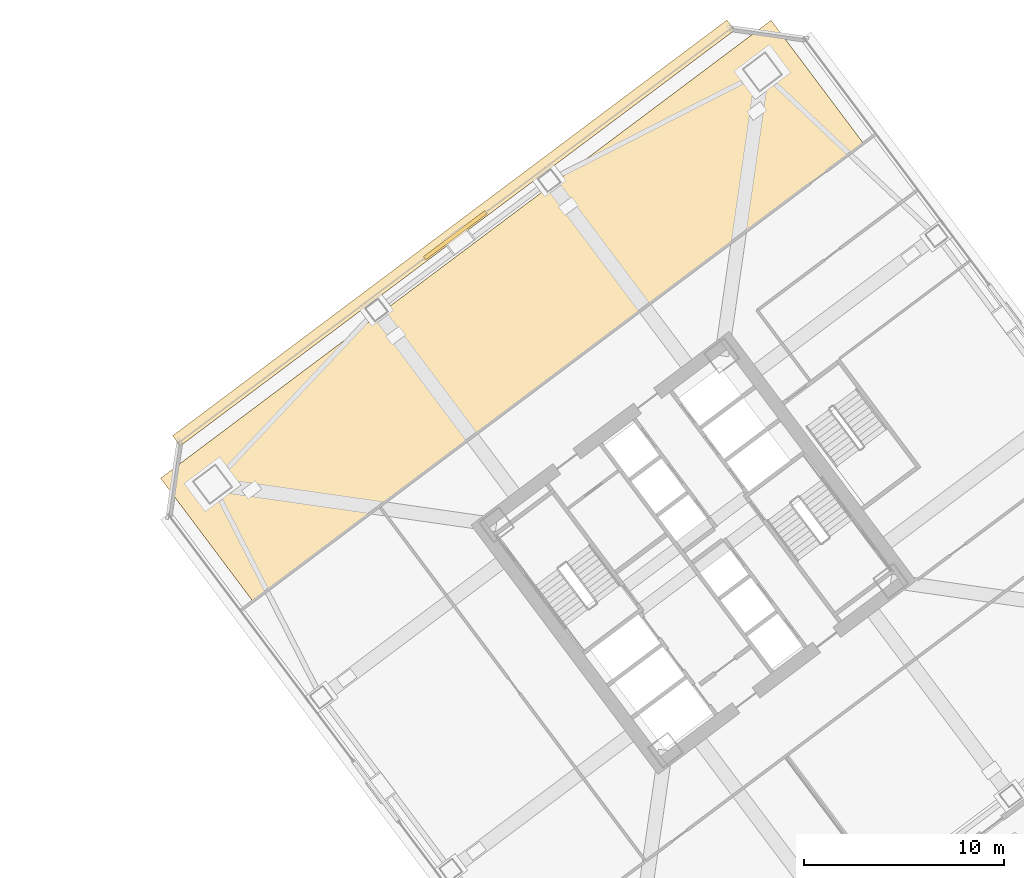
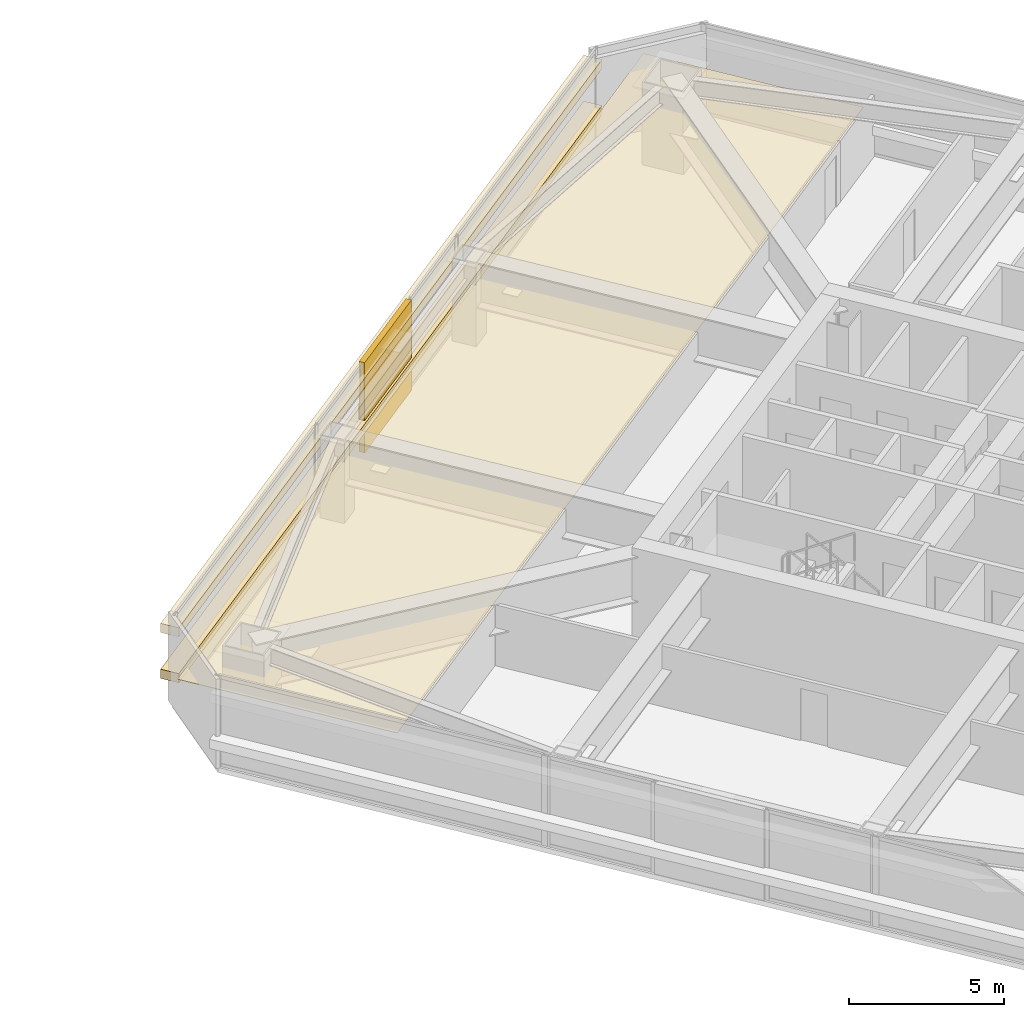
# One storey, part 48 of 49: 4 coverings.
"""IFC4 building model written with IfcOpenShell, lengths in metres."""

import ifcopenshell
import ifcopenshell.guid

model = None  # the IFC model being written
_history = None  # IfcOwnerHistory: only IFC2X3 demands one
_inside = {}  # id of a spatial element -> (the spatial element, [elements in it])
_under = {}  # id of a project, library or spatial element -> (it, [spatial elements below it])
_declared = {}  # id of a project -> (the project, [libraries it declares])
_typed = {}  # id of a type object -> (the type object, [elements of that type])
_made_of = {}  # id of a material, layer set ... -> (it, [elements and type objects made of it])


def new_model(schema):
    """Start an empty IFC model of exactly this schema.

    Asked for "IFC4X3", IfcOpenShell would pick the latest addendum, in which some entities
    have other attributes; the version numbers below select the first issue.
    IFC2X3 requires an IfcOwnerHistory on every rooted entity: one is made here for all.
    """
    global model, _history
    if schema == "IFC4X3":
        model = ifcopenshell.file(schema_version=(4, 3, 0, 0))
    else:
        model = ifcopenshell.file(schema=schema)
    _inside.clear()
    _under.clear()
    _declared.clear()
    _typed.clear()
    _made_of.clear()
    _history = None
    if model.schema == "IFC2X3":
        org = make("IfcOrganization", Name="unknown")
        user = make(
            "IfcPersonAndOrganization",
            ThePerson=make("IfcPerson", FamilyName="unknown"),
            TheOrganization=org,
        )
        app = make(
            "IfcApplication",
            ApplicationDeveloper=org,
            Version="unknown",
            ApplicationFullName="unknown",
            ApplicationIdentifier="unknown",
        )
        _history = make(
            "IfcOwnerHistory",
            OwningUser=user,
            OwningApplication=app,
            ChangeAction="ADDED",
            CreationDate=0,
        )
    return model


def make(cls, **values):
    """One entity of the class cls with the attributes given. An attribute that is None is left unset."""
    return model.create_entity(
        cls, **{name: value for name, value in values.items() if value is not None}
    )


def rooted(cls, **values):
    """An entity with a GlobalId (a new one), such as an element, a storey or a relation."""
    return make(cls, GlobalId=ifcopenshell.guid.new(), OwnerHistory=_history, **values)


def si_unit(unit_type, name, prefix=None):
    """IfcSIUnit, for example si_unit("LENGTHUNIT", "METRE", prefix="MILLI")."""
    return make("IfcSIUnit", UnitType=unit_type, Prefix=prefix, Name=name)


def assignment(units):
    """IfcUnitAssignment: the units of a project."""
    return None if units is None else make("IfcUnitAssignment", Units=units)


def point(xyz):
    """IfcCartesianPoint."""
    return None if xyz is None else make("IfcCartesianPoint", Coordinates=xyz)


def direction(xyz):
    """IfcDirection."""
    return None if xyz is None else make("IfcDirection", DirectionRatios=xyz)


def frame(location, z_axis=None, x_axis=None):
    """IfcAxis2Placement3D, a coordinate frame: its origin and axes. An axis left out is left unset."""
    return make(
        "IfcAxis2Placement3D",
        Location=point(location),
        Axis=direction(z_axis),
        RefDirection=direction(x_axis),
    )


def frame_2d(location, x_axis=None):
    """IfcAxis2Placement2D, a coordinate frame in the plane: its origin and x axis."""
    return make(
        "IfcAxis2Placement2D", Location=point(location), RefDirection=direction(x_axis)
    )


def origin():
    """The frame at (0, 0, 0) with its axes left unset."""
    return frame((0.0, 0.0, 0.0))


def origin_2d():
    """The frame at (0, 0) in the plane with its x axis left unset."""
    return frame_2d((0.0, 0.0))


def place(relative_to, where):
    """IfcLocalPlacement: puts the frame where relative to a parent placement (None: the world)."""
    return make(
        "IfcLocalPlacement", PlacementRelTo=relative_to, RelativePlacement=where
    )


def context(
    kind, dimensions, precision=None, world=None, true_north=None, identifier=None
):
    """IfcGeometricRepresentationContext, for example the 3D "Model" context."""
    return make(
        "IfcGeometricRepresentationContext",
        ContextIdentifier=identifier,
        ContextType=kind,
        CoordinateSpaceDimension=dimensions,
        Precision=precision,
        WorldCoordinateSystem=world,
        TrueNorth=true_north,
    )


def subcontext(parent, identifier, kind, view, scale=None):
    """IfcGeometricRepresentationSubContext, for example "Body" below "Model"."""
    return make(
        "IfcGeometricRepresentationSubContext",
        ContextIdentifier=identifier,
        ContextType=kind,
        ParentContext=parent,
        TargetScale=scale,
        TargetView=view,
    )


def project(units=None, contexts=None):
    """IfcProject with its units and contexts."""
    return rooted(
        "IfcProject",
        Name="project",
        RepresentationContexts=contexts,
        UnitsInContext=assignment(units),
    )


def spatial(cls, under=None, at=None, **own):
    """A site, building, storey or space (cls), placed at a placement, below another one or the project."""
    s = rooted(cls, ObjectPlacement=at, **own)
    if under is not None:
        _under.setdefault(under.id(), (under, []))[1].append(s)
    return s


def polyline(points):
    """IfcPolyline through the points."""
    return make("IfcPolyline", Points=[point(p) for p in points])


def profile(cls, at=None, kind="AREA", **sizes):
    """A parametric profile (cls). Its sizes go by their IFC names, for example OverallWidth=200.0."""
    return make(cls, ProfileType=kind, Position=at, **sizes)


def rectangle(**sizes):
    """IfcRectangleProfileDef."""
    return profile("IfcRectangleProfileDef", **sizes)


def outline(outer, holes=None, kind="AREA"):
    """IfcArbitraryClosedProfileDef: a profile drawn as a closed curve; with holes, ...WithVoids."""
    if holes is None:
        return make("IfcArbitraryClosedProfileDef", ProfileType=kind, OuterCurve=outer)
    return make(
        "IfcArbitraryProfileDefWithVoids",
        ProfileType=kind,
        OuterCurve=outer,
        InnerCurves=holes,
    )


def extrude(swept, where, along, depth):
    """IfcExtrudedAreaSolid: the profile swept, set in the frame where, extruded along a direction by depth."""
    return make(
        "IfcExtrudedAreaSolid",
        SweptArea=swept,
        Position=where,
        ExtrudedDirection=direction(along),
        Depth=depth,
    )


def shape(context_of_items, identifier, shape_type, items):
    """IfcShapeRepresentation: the items that make up one representation, for example the "Body"."""
    return make(
        "IfcShapeRepresentation",
        ContextOfItems=context_of_items,
        RepresentationIdentifier=identifier,
        RepresentationType=shape_type,
        Items=items,
    )


def material(Name=None, Category=None):
    """IfcMaterial."""
    return make("IfcMaterial", Name=Name, Category=Category)


def layer(
    of_material, thickness, ventilated=None, Name=None, Category=None, Priority=None
):
    """IfcMaterialLayer: one layer of a wall or slab, of a material (None: an air gap)."""
    return make(
        "IfcMaterialLayer",
        Material=of_material,
        LayerThickness=thickness,
        IsVentilated=ventilated,
        Name=Name,
        Category=Category,
        Priority=Priority,
    )


def layer_set(layers, Name=None):
    """IfcMaterialLayerSet."""
    return make("IfcMaterialLayerSet", MaterialLayers=layers, LayerSetName=Name)


def made_of(thing, what):
    """Note that an element or type object is made of a material, layer set ...; save() writes the relation."""
    if what is not None:
        _made_of.setdefault(what.id(), (what, []))[1].append(thing)
    return thing


def type_object(cls, material=None, **own):
    """A type object (cls), such as IfcWallType, which elements share."""
    return made_of(rooted(cls, **own), material)


def element(
    cls,
    number,
    at=None,
    inside=None,
    cuts=None,
    type_object=None,
    material=None,
    context=None,
    identifier="Body",
    shape_type=None,
    held_by="IfcProductDefinitionShape",
    body=None,
    shapes=None,
    **own,
):
    """One element of the class cls, such as IfcWall. Its Tag is "e" and its number.

    at: its placement. inside: the storey or other place that contains it. cuts: it is an
    opening in that element (IfcRelVoidsElement). A single representation is given by context,
    identifier, shape_type and body (its items); several are given by shapes. held_by: the class
    of the entity that holds the representations. save() writes the other relations.
    """
    e = rooted(cls, Tag="e%d" % number, ObjectPlacement=at, **own)
    if body is not None:
        shapes = [shape(context, identifier, shape_type, body)]
    if shapes is not None:
        e.Representation = make(held_by, Representations=shapes)
    if inside is not None:
        _inside.setdefault(inside.id(), (inside, []))[1].append(e)
    if cuts is not None:
        rooted(
            "IfcRelVoidsElement", RelatingBuildingElement=cuts, RelatedOpeningElement=e
        )
    if type_object is not None:
        _typed.setdefault(type_object.id(), (type_object, []))[1].append(e)
    return made_of(e, material)


def aggregate(whole, parts):
    """IfcRelAggregates: a whole, such as a stair, and the parts it consists of."""
    return rooted("IfcRelAggregates", RelatingObject=whole, RelatedObjects=parts)


def save(model, path):
    """Write the relations noted so far, then the file.

    IfcRelAggregates (storeys below a building ...), IfcRelContainedInSpatialStructure (elements
    in a storey), IfcRelDefinesByType, IfcRelAssociatesMaterial and IfcRelDeclares: one each for
    every whole, place, type object, material and project.
    """
    for whole, parts in _under.values():
        aggregate(whole, parts)
    for where, things in _inside.values():
        rooted(
            "IfcRelContainedInSpatialStructure",
            RelatedElements=things,
            RelatingStructure=where,
        )
    for kind, things in _typed.values():
        rooted("IfcRelDefinesByType", RelatedObjects=things, RelatingType=kind)
    for what, things in _made_of.values():
        rooted("IfcRelAssociatesMaterial", RelatedObjects=things, RelatingMaterial=what)
    for by, libraries in _declared.values():
        rooted("IfcRelDeclares", RelatingContext=by, RelatedDefinitions=libraries)
    model.write(path)


model = new_model("IFC4")

# Units and contexts
model_context = context("Model", 3, precision=1e-05, world=origin(), true_north=direction((0.0, 1.0)))
body_context = subcontext(model_context, "Body", "Model", "MODEL_VIEW")
ifc_project = project(units=[si_unit("LENGTHUNIT", "METRE"), si_unit("AREAUNIT", "SQUARE_METRE"), si_unit("VOLUMEUNIT", "CUBIC_METRE"), si_unit("PLANEANGLEUNIT", "RADIAN"), si_unit("MASSUNIT", "GRAM", prefix="KILO")], contexts=[model_context])

# Site, building, storey
site_placement = place(None, origin())
site = spatial("IfcSite", under=ifc_project, at=site_placement, CompositionType="ELEMENT")
building_placement = place(site_placement, origin())
building = spatial("IfcBuilding", under=site, at=building_placement, Name="Tashvorn Skyway Center", CompositionType="ELEMENT")
storey_placement = place(building_placement, frame((0.0, 0.0, 106.25)))
storey = spatial("IfcBuildingStorey", under=building, at=storey_placement, Name="L28", CompositionType="ELEMENT", Elevation=106.25)

# Coverings
ifc_material_1 = material(Name="Precast concrete C40/50", Category="concrete")
ifc_layer_1 = layer(ifc_material_1, 0.199951171875)
ifc_layer_set_1 = layer_set([ifc_layer_1], Name="Precast concrete C40/50")
covering_type_1 = type_object("IfcCoveringType", Name="COV-BRACE-CLAD", PredefinedType="CLADDING", material=ifc_layer_set_1)
covering_1_placement = place(storey_placement, frame((102.072021484375, 47.904052734375, 0.0), z_axis=(0.0, 0.0, 1.0), x_axis=(0.799999996291, 0.600000004945, 0.0)))
element("IfcCovering", 1, at=covering_1_placement, inside=storey, type_object=covering_type_1, Name="Tower 2 L28 North Unitised Curtain Wall Mega-Brace Cladding Band 1", PredefinedType="CLADDING", context=body_context, shape_type="SweptSolid", body=[
    extrude(rectangle(XDim=3.840087890625, YDim=0.199951171875, at=origin_2d()), origin(), (0.0, 0.0, 1.0), 3.550048828125),
])
ifc_material_2 = material(Name="Mineral-fibre acoustic ceiling tile on suspended grid")
ifc_layer_2 = layer(ifc_material_2, 0.02001953125)
ifc_layer_set_2 = layer_set([ifc_layer_2], Name="Mineral-fibre acoustic ceiling tile on suspended grid")
covering_type_2 = type_object("IfcCoveringType", Name="COV-CEIL-20", PredefinedType="CEILING", material=ifc_layer_set_2)
covering_2_placement = place(storey_placement, frame((0.0, 0.0, 2.373046875)))
element("IfcCovering", 2, at=covering_2_placement, inside=storey, type_object=covering_type_2, Name="Tower 2 L28 Operations Control Room Acoustic Ceiling", PredefinedType="CEILING", context=body_context, shape_type="SweptSolid", body=[
    extrude(outline(polyline([(91.93994140625, 29.580078125), (122.5, 52.5), (117.8798828125, 58.659912109375), (87.320068359375, 35.739990234375), (91.93994140625, 29.580078125)])), origin(), (0.0, 0.0, 1.0), 0.02001953125),
])
ifc_material_3 = material(Name="Perforated ceramic-coated bronze aluminium solar screen", Category="aluminium")
ifc_layer_3 = layer(ifc_material_3, 0.85009765625)
ifc_layer_set_3 = layer_set([ifc_layer_3], Name="Perforated ceramic-coated bronze aluminium solar screen")
covering_type_3 = type_object("IfcCoveringType", Name="COV-SOLAR-BAND", PredefinedType="CLADDING", material=ifc_layer_set_3)
for number, where, z_axis, x_axis, name in (
    (3, (101.988037109375, 48.01611328125, 0.919921875), (0.0, 0.0, 1.0), (0.799999996291, 0.600000004945, 0.0), "L28 Perforated Ceramic-Metal Solar Screen Louvre Band North 1"),
    (4, (101.988037109375, 48.01611328125, 2.7197265625), (0.0, 0.0, 1.0), (0.799999996291, 0.600000004945, 0.0), "L28 Perforated Ceramic-Metal Solar Screen Louvre Band North 2"),
):
    element("IfcCovering", number, at=place(storey_placement, frame(where, z_axis=z_axis, x_axis=x_axis)), inside=storey, type_object=covering_type_3, Name=name, PredefinedType="CLADDING", context=body_context, shape_type="SweptSolid", body=[
        extrude(rectangle(XDim=34.679931640625, YDim=0.639892578125, at=origin_2d()), origin(), (0.0, 0.0, 1.0), 0.360107421875),
    ])

save(model, "model.ifc")
